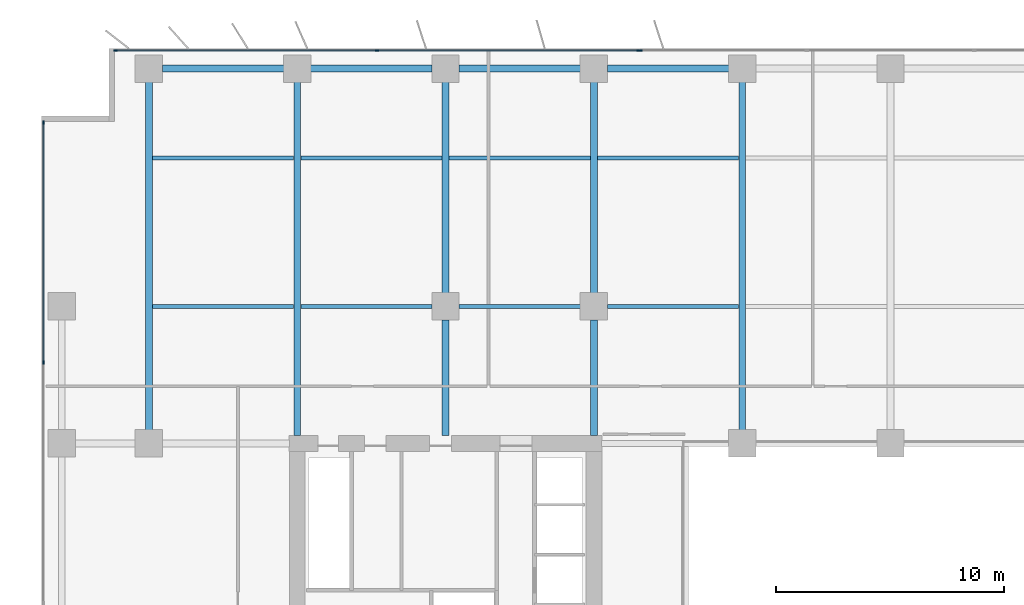
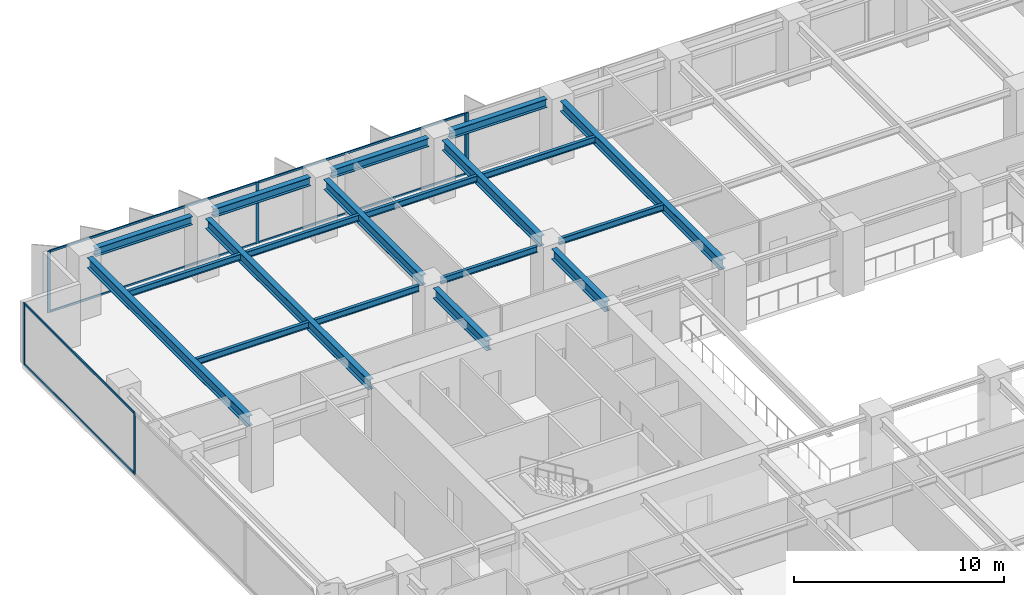
# One storey, part 7 of 20: 19 beams, 12 members, 3 elements without a shape of their own.
"""IFC4 building model written with IfcOpenShell, lengths in metres."""

import ifcopenshell
import ifcopenshell.guid

model = None  # the IFC model being written
_history = None  # IfcOwnerHistory: only IFC2X3 demands one
_inside = {}  # id of a spatial element -> (the spatial element, [elements in it])
_under = {}  # id of a project, library or spatial element -> (it, [spatial elements below it])
_declared = {}  # id of a project -> (the project, [libraries it declares])
_typed = {}  # id of a type object -> (the type object, [elements of that type])
_made_of = {}  # id of a material, layer set ... -> (it, [elements and type objects made of it])


def new_model(schema):
    """Start an empty IFC model of exactly this schema.

    Asked for "IFC4X3", IfcOpenShell would pick the latest addendum, in which some entities
    have other attributes; the version numbers below select the first issue.
    IFC2X3 requires an IfcOwnerHistory on every rooted entity: one is made here for all.
    """
    global model, _history
    if schema == "IFC4X3":
        model = ifcopenshell.file(schema_version=(4, 3, 0, 0))
    else:
        model = ifcopenshell.file(schema=schema)
    _inside.clear()
    _under.clear()
    _declared.clear()
    _typed.clear()
    _made_of.clear()
    _history = None
    if model.schema == "IFC2X3":
        org = make("IfcOrganization", Name="unknown")
        user = make(
            "IfcPersonAndOrganization",
            ThePerson=make("IfcPerson", FamilyName="unknown"),
            TheOrganization=org,
        )
        app = make(
            "IfcApplication",
            ApplicationDeveloper=org,
            Version="unknown",
            ApplicationFullName="unknown",
            ApplicationIdentifier="unknown",
        )
        _history = make(
            "IfcOwnerHistory",
            OwningUser=user,
            OwningApplication=app,
            ChangeAction="ADDED",
            CreationDate=0,
        )
    return model


def make(cls, **values):
    """One entity of the class cls with the attributes given. An attribute that is None is left unset."""
    return model.create_entity(
        cls, **{name: value for name, value in values.items() if value is not None}
    )


def rooted(cls, **values):
    """An entity with a GlobalId (a new one), such as an element, a storey or a relation."""
    return make(cls, GlobalId=ifcopenshell.guid.new(), OwnerHistory=_history, **values)


def si_unit(unit_type, name, prefix=None):
    """IfcSIUnit, for example si_unit("LENGTHUNIT", "METRE", prefix="MILLI")."""
    return make("IfcSIUnit", UnitType=unit_type, Prefix=prefix, Name=name)


def assignment(units):
    """IfcUnitAssignment: the units of a project."""
    return None if units is None else make("IfcUnitAssignment", Units=units)


def point(xyz):
    """IfcCartesianPoint."""
    return None if xyz is None else make("IfcCartesianPoint", Coordinates=xyz)


def direction(xyz):
    """IfcDirection."""
    return None if xyz is None else make("IfcDirection", DirectionRatios=xyz)


def frame(location, z_axis=None, x_axis=None):
    """IfcAxis2Placement3D, a coordinate frame: its origin and axes. An axis left out is left unset."""
    return make(
        "IfcAxis2Placement3D",
        Location=point(location),
        Axis=direction(z_axis),
        RefDirection=direction(x_axis),
    )


def frame_2d(location, x_axis=None):
    """IfcAxis2Placement2D, a coordinate frame in the plane: its origin and x axis."""
    return make(
        "IfcAxis2Placement2D", Location=point(location), RefDirection=direction(x_axis)
    )


def origin():
    """The frame at (0, 0, 0) with its axes left unset."""
    return frame((0.0, 0.0, 0.0))


def origin_2d():
    """The frame at (0, 0) in the plane with its x axis left unset."""
    return frame_2d((0.0, 0.0))


def place(relative_to, where):
    """IfcLocalPlacement: puts the frame where relative to a parent placement (None: the world)."""
    return make(
        "IfcLocalPlacement", PlacementRelTo=relative_to, RelativePlacement=where
    )


def context(
    kind, dimensions, precision=None, world=None, true_north=None, identifier=None
):
    """IfcGeometricRepresentationContext, for example the 3D "Model" context."""
    return make(
        "IfcGeometricRepresentationContext",
        ContextIdentifier=identifier,
        ContextType=kind,
        CoordinateSpaceDimension=dimensions,
        Precision=precision,
        WorldCoordinateSystem=world,
        TrueNorth=true_north,
    )


def subcontext(parent, identifier, kind, view, scale=None):
    """IfcGeometricRepresentationSubContext, for example "Body" below "Model"."""
    return make(
        "IfcGeometricRepresentationSubContext",
        ContextIdentifier=identifier,
        ContextType=kind,
        ParentContext=parent,
        TargetScale=scale,
        TargetView=view,
    )


def project(units=None, contexts=None):
    """IfcProject with its units and contexts."""
    return rooted(
        "IfcProject",
        Name="project",
        RepresentationContexts=contexts,
        UnitsInContext=assignment(units),
    )


def spatial(cls, under=None, at=None, **own):
    """A site, building, storey or space (cls), placed at a placement, below another one or the project."""
    s = rooted(cls, ObjectPlacement=at, **own)
    if under is not None:
        _under.setdefault(under.id(), (under, []))[1].append(s)
    return s


def profile(cls, at=None, kind="AREA", **sizes):
    """A parametric profile (cls). Its sizes go by their IFC names, for example OverallWidth=200.0."""
    return make(cls, ProfileType=kind, Position=at, **sizes)


def rectangle(**sizes):
    """IfcRectangleProfileDef."""
    return profile("IfcRectangleProfileDef", **sizes)


def i_section(**sizes):
    """IfcIShapeProfileDef."""
    return profile("IfcIShapeProfileDef", **sizes)


def extrude(swept, where, along, depth):
    """IfcExtrudedAreaSolid: the profile swept, set in the frame where, extruded along a direction by depth."""
    return make(
        "IfcExtrudedAreaSolid",
        SweptArea=swept,
        Position=where,
        ExtrudedDirection=direction(along),
        Depth=depth,
    )


def shape(context_of_items, identifier, shape_type, items):
    """IfcShapeRepresentation: the items that make up one representation, for example the "Body"."""
    return make(
        "IfcShapeRepresentation",
        ContextOfItems=context_of_items,
        RepresentationIdentifier=identifier,
        RepresentationType=shape_type,
        Items=items,
    )


def material(Name=None, Category=None):
    """IfcMaterial."""
    return make("IfcMaterial", Name=Name, Category=Category)


def layer(
    of_material, thickness, ventilated=None, Name=None, Category=None, Priority=None
):
    """IfcMaterialLayer: one layer of a wall or slab, of a material (None: an air gap)."""
    return make(
        "IfcMaterialLayer",
        Material=of_material,
        LayerThickness=thickness,
        IsVentilated=ventilated,
        Name=Name,
        Category=Category,
        Priority=Priority,
    )


def layer_set(layers, Name=None):
    """IfcMaterialLayerSet."""
    return make("IfcMaterialLayerSet", MaterialLayers=layers, LayerSetName=Name)


def material_profile(
    of_material, cross_section, Name=None, Category=None, Priority=None
):
    """IfcMaterialProfile: a cross section and its material."""
    return make(
        "IfcMaterialProfile",
        Name=Name,
        Material=of_material,
        Profile=cross_section,
        Priority=Priority,
        Category=Category,
    )


def profile_set(profiles, Name=None, composite=None):
    """IfcMaterialProfileSet."""
    return make(
        "IfcMaterialProfileSet",
        Name=Name,
        MaterialProfiles=profiles,
        CompositeProfile=composite,
    )


def made_of(thing, what):
    """Note that an element or type object is made of a material, layer set ...; save() writes the relation."""
    if what is not None:
        _made_of.setdefault(what.id(), (what, []))[1].append(thing)
    return thing


def type_object(cls, material=None, **own):
    """A type object (cls), such as IfcWallType, which elements share."""
    return made_of(rooted(cls, **own), material)


def element(
    cls,
    number,
    at=None,
    inside=None,
    cuts=None,
    type_object=None,
    material=None,
    context=None,
    identifier="Body",
    shape_type=None,
    held_by="IfcProductDefinitionShape",
    body=None,
    shapes=None,
    **own,
):
    """One element of the class cls, such as IfcWall. Its Tag is "e" and its number.

    at: its placement. inside: the storey or other place that contains it. cuts: it is an
    opening in that element (IfcRelVoidsElement). A single representation is given by context,
    identifier, shape_type and body (its items); several are given by shapes. held_by: the class
    of the entity that holds the representations. save() writes the other relations.
    """
    e = rooted(cls, Tag="e%d" % number, ObjectPlacement=at, **own)
    if body is not None:
        shapes = [shape(context, identifier, shape_type, body)]
    if shapes is not None:
        e.Representation = make(held_by, Representations=shapes)
    if inside is not None:
        _inside.setdefault(inside.id(), (inside, []))[1].append(e)
    if cuts is not None:
        rooted(
            "IfcRelVoidsElement", RelatingBuildingElement=cuts, RelatedOpeningElement=e
        )
    if type_object is not None:
        _typed.setdefault(type_object.id(), (type_object, []))[1].append(e)
    return made_of(e, material)


def aggregate(whole, parts):
    """IfcRelAggregates: a whole, such as a stair, and the parts it consists of."""
    return rooted("IfcRelAggregates", RelatingObject=whole, RelatedObjects=parts)


def save(model, path):
    """Write the relations noted so far, then the file.

    IfcRelAggregates (storeys below a building ...), IfcRelContainedInSpatialStructure (elements
    in a storey), IfcRelDefinesByType, IfcRelAssociatesMaterial and IfcRelDeclares: one each for
    every whole, place, type object, material and project.
    """
    for whole, parts in _under.values():
        aggregate(whole, parts)
    for where, things in _inside.values():
        rooted(
            "IfcRelContainedInSpatialStructure",
            RelatedElements=things,
            RelatingStructure=where,
        )
    for kind, things in _typed.values():
        rooted("IfcRelDefinesByType", RelatedObjects=things, RelatingType=kind)
    for what, things in _made_of.values():
        rooted("IfcRelAssociatesMaterial", RelatedObjects=things, RelatingMaterial=what)
    for by, libraries in _declared.values():
        rooted("IfcRelDeclares", RelatingContext=by, RelatedDefinitions=libraries)
    model.write(path)


model = new_model("IFC4")

# Units and contexts
model_context = context("Model", 3, precision=1e-05, world=origin(), true_north=direction((0.0, 1.0)))
body_context = subcontext(model_context, "Body", "Model", "MODEL_VIEW")
ifc_project = project(units=[si_unit("LENGTHUNIT", "METRE"), si_unit("AREAUNIT", "SQUARE_METRE"), si_unit("VOLUMEUNIT", "CUBIC_METRE"), si_unit("PLANEANGLEUNIT", "RADIAN"), si_unit("MASSUNIT", "GRAM", prefix="KILO")], contexts=[model_context])

# Site, building, storey
site_placement = place(None, origin())
site = spatial("IfcSite", under=ifc_project, at=site_placement, CompositionType="ELEMENT")
building_placement = place(site_placement, origin())
building = spatial("IfcBuilding", under=site, at=building_placement, Name="Putna Gate Headquarters", CompositionType="ELEMENT")
storey_placement = place(building_placement, frame((0.0, 0.0, 97.39990234375)))
storey = spatial("IfcBuildingStorey", under=building, at=storey_placement, Name="L23", CompositionType="ELEMENT", Elevation=97.39990234375)

# Beams
ifc_material_1 = material(Name="Steel S355J2", Category="steel")
ifc_material_profile_1 = material_profile(ifc_material_1, i_section(OverallWidth=0.300048828125, OverallDepth=0.60009765625, WebThickness=0.015380859375, FlangeThickness=0.030029296875, at=origin_2d()), Name="Steel S355J2")
ifc_profile_set_1 = profile_set([ifc_material_profile_1], Name="Steel S355J2")
beam_type_1 = type_object("IfcBeamType", Name="BM-GIRD-Z2-HEB600", PredefinedType="USERDEFINED", material=ifc_profile_set_1)
beam_1_placement = place(storey_placement, frame((6.5, 33.587890625, 3.26513671875), z_axis=(0.0, 1.0, 0.0), x_axis=(-1.0, 0.0, 0.0)))
element("IfcBeam", 1, at=beam_1_placement, inside=storey, type_object=beam_type_1, Name="L23 North Primary Girder X6", ObjectType="GIRDER", PredefinedType="USERDEFINED", context=body_context, shape_type="SweptSolid", body=[
    extrude(i_section(OverallWidth=0.300048828125, OverallDepth=0.60009765625, WebThickness=0.015380859375, FlangeThickness=0.030029296875, at=origin_2d()), origin(), (0.0, 0.0, 1.0), 15.244140625),
])
beam_2_placement = place(storey_placement, frame((13.0, 33.3349609375, 3.26513671875), z_axis=(0.0, 1.0, 0.0), x_axis=(-1.0, 0.0, 0.0)))
element("IfcBeam", 2, at=beam_2_placement, inside=storey, type_object=beam_type_1, Name="L23 North Primary Girder X13", ObjectType="GIRDER", PredefinedType="USERDEFINED", context=body_context, shape_type="SweptSolid", body=[
    extrude(i_section(OverallWidth=0.300048828125, OverallDepth=0.60009765625, WebThickness=0.015380859375, FlangeThickness=0.030029296875, at=origin_2d()), origin(), (0.0, 0.0, 1.0), 15.4970703125),
])
beam_3_placement = place(storey_placement, frame((19.5, 33.3349609375, 3.26513671875), z_axis=(0.0, 1.0, 0.0), x_axis=(-1.0, 0.0, 0.0)))
element("IfcBeam", 3, at=beam_3_placement, inside=storey, type_object=beam_type_1, Name="L23 North Primary Girder X19-1", ObjectType="GIRDER", PredefinedType="USERDEFINED", context=body_context, shape_type="SweptSolid", body=[
    extrude(i_section(OverallWidth=0.300048828125, OverallDepth=0.60009765625, WebThickness=0.015380859375, FlangeThickness=0.030029296875, at=origin_2d()), origin(), (0.0, 0.0, 1.0), 5.0771484375),
])
beam_4_placement = place(storey_placement, frame((19.5, 39.587890625, 3.26513671875), z_axis=(0.0, 1.0, 0.0), x_axis=(-1.0, 0.0, 0.0)))
element("IfcBeam", 4, at=beam_4_placement, inside=storey, type_object=beam_type_1, Name="L23 North Primary Girder X19-2", ObjectType="GIRDER", PredefinedType="USERDEFINED", context=body_context, shape_type="SweptSolid", body=[
    extrude(i_section(OverallWidth=0.300048828125, OverallDepth=0.60009765625, WebThickness=0.015380859375, FlangeThickness=0.030029296875, at=origin_2d()), origin(), (0.0, 0.0, 1.0), 9.244140625),
])
beam_5_placement = place(storey_placement, frame((26.0, 33.3349609375, 3.26513671875), z_axis=(0.0, 1.0, 0.0), x_axis=(-1.0, 0.0, 0.0)))
element("IfcBeam", 5, at=beam_5_placement, inside=storey, type_object=beam_type_1, Name="L23 North Primary Girder X26-1", ObjectType="GIRDER", PredefinedType="USERDEFINED", context=body_context, shape_type="SweptSolid", body=[
    extrude(i_section(OverallWidth=0.300048828125, OverallDepth=0.60009765625, WebThickness=0.015380859375, FlangeThickness=0.030029296875, at=origin_2d()), origin(), (0.0, 0.0, 1.0), 5.0771484375),
])
beam_6_placement = place(storey_placement, frame((26.0, 39.587890625, 3.26513671875), z_axis=(0.0, 1.0, 0.0), x_axis=(-1.0, 0.0, 0.0)))
element("IfcBeam", 6, at=beam_6_placement, inside=storey, type_object=beam_type_1, Name="L23 North Primary Girder X26-2", ObjectType="GIRDER", PredefinedType="USERDEFINED", context=body_context, shape_type="SweptSolid", body=[
    extrude(i_section(OverallWidth=0.300048828125, OverallDepth=0.60009765625, WebThickness=0.015380859375, FlangeThickness=0.030029296875, at=origin_2d()), origin(), (0.0, 0.0, 1.0), 9.244140625),
])
beam_7_placement = place(storey_placement, frame((32.5, 33.587890625, 3.26513671875), z_axis=(0.0, 1.0, 0.0), x_axis=(-1.0, 0.0, 0.0)))
element("IfcBeam", 7, at=beam_7_placement, inside=storey, type_object=beam_type_1, Name="L23 North Primary Girder X32", ObjectType="GIRDER", PredefinedType="USERDEFINED", context=body_context, shape_type="SweptSolid", body=[
    extrude(i_section(OverallWidth=0.300048828125, OverallDepth=0.60009765625, WebThickness=0.015380859375, FlangeThickness=0.030029296875, at=origin_2d()), origin(), (0.0, 0.0, 1.0), 15.244140625),
])
ifc_material_profile_2 = material_profile(ifc_material_1, i_section(OverallWidth=0.169921875, OverallDepth=0.360107421875, WebThickness=0.008056640625, FlangeThickness=0.0126953125, at=origin_2d()), Name="Steel S355J2")
ifc_profile_set_2 = profile_set([ifc_material_profile_2], Name="Steel S355J2")
beam_type_2 = type_object("IfcBeamType", Name="BM-SEC-Z2-IPE360", PredefinedType="BEAM", material=ifc_profile_set_2)
for number, where, z_axis, x_axis, name in (
    (8, (6.654052734375, 39.0, 3.385009765625), (1.0, 0.0, 0.0), (0.0, 1.0, 0.0), "L23 North Secondary Beam 1"),
    (9, (6.654052734375, 45.5, 3.385009765625), (1.0, 0.0, 0.0), (0.0, 1.0, 0.0), "L23 North Secondary Beam 1"),
):
    element("IfcBeam", number, at=place(storey_placement, frame(where, z_axis=z_axis, x_axis=x_axis)), inside=storey, type_object=beam_type_2, Name=name, PredefinedType="BEAM", context=body_context, shape_type="SweptSolid", body=[
        extrude(i_section(OverallWidth=0.169921875, OverallDepth=0.360107421875, WebThickness=0.008056640625, FlangeThickness=0.0126953125, at=origin_2d()), origin(), (0.0, 0.0, 1.0), 6.19189453125),
    ])
beam_8_placement = place(storey_placement, frame((13.154052734375, 39.0, 3.385009765625), z_axis=(1.0, 0.0, 0.0), x_axis=(0.0, 1.0, 0.0)))
element("IfcBeam", 10, at=beam_8_placement, inside=storey, type_object=beam_type_2, Name="L23 North Secondary Beam 2", PredefinedType="BEAM", context=body_context, shape_type="SweptSolid", body=[
    extrude(i_section(OverallWidth=0.169921875, OverallDepth=0.360107421875, WebThickness=0.008056640625, FlangeThickness=0.0126953125, at=origin_2d()), origin(), (0.0, 0.0, 1.0), 5.758056640625),
])
beam_9_placement = place(storey_placement, frame((13.154052734375, 45.5, 3.385009765625), z_axis=(1.0, 0.0, 0.0), x_axis=(0.0, 1.0, 0.0)))
element("IfcBeam", 11, at=beam_9_placement, inside=storey, type_object=beam_type_2, Name="L23 North Secondary Beam 2", PredefinedType="BEAM", context=body_context, shape_type="SweptSolid", body=[
    extrude(i_section(OverallWidth=0.169921875, OverallDepth=0.360107421875, WebThickness=0.008056640625, FlangeThickness=0.0126953125, at=origin_2d()), origin(), (0.0, 0.0, 1.0), 6.19189453125),
])
beam_10_placement = place(storey_placement, frame((20.087890625, 39.0, 3.385009765625), z_axis=(1.0, 0.0, 0.0), x_axis=(0.0, 1.0, 0.0)))
element("IfcBeam", 12, at=beam_10_placement, inside=storey, type_object=beam_type_2, Name="L23 North Secondary Beam 3", PredefinedType="BEAM", context=body_context, shape_type="SweptSolid", body=[
    extrude(i_section(OverallWidth=0.169921875, OverallDepth=0.360107421875, WebThickness=0.008056640625, FlangeThickness=0.0126953125, at=origin_2d()), origin(), (0.0, 0.0, 1.0), 5.32421875),
])
beam_11_placement = place(storey_placement, frame((19.654052734375, 45.5, 3.385009765625), z_axis=(1.0, 0.0, 0.0), x_axis=(0.0, 1.0, 0.0)))
element("IfcBeam", 13, at=beam_11_placement, inside=storey, type_object=beam_type_2, Name="L23 North Secondary Beam 3", PredefinedType="BEAM", context=body_context, shape_type="SweptSolid", body=[
    extrude(i_section(OverallWidth=0.169921875, OverallDepth=0.360107421875, WebThickness=0.008056640625, FlangeThickness=0.0126953125, at=origin_2d()), origin(), (0.0, 0.0, 1.0), 6.19189453125),
])
beam_12_placement = place(storey_placement, frame((26.587890625, 39.0, 3.385009765625), z_axis=(1.0, 0.0, 0.0), x_axis=(0.0, 1.0, 0.0)))
element("IfcBeam", 14, at=beam_12_placement, inside=storey, type_object=beam_type_2, Name="L23 North Secondary Beam 4", PredefinedType="BEAM", context=body_context, shape_type="SweptSolid", body=[
    extrude(i_section(OverallWidth=0.169921875, OverallDepth=0.360107421875, WebThickness=0.008056640625, FlangeThickness=0.0126953125, at=origin_2d()), origin(), (0.0, 0.0, 1.0), 5.758056640625),
])
beam_13_placement = place(storey_placement, frame((26.154052734375, 45.5, 3.385009765625), z_axis=(1.0, 0.0, 0.0), x_axis=(0.0, 1.0, 0.0)))
element("IfcBeam", 15, at=beam_13_placement, inside=storey, type_object=beam_type_2, Name="L23 North Secondary Beam 4", PredefinedType="BEAM", context=body_context, shape_type="SweptSolid", body=[
    extrude(i_section(OverallWidth=0.169921875, OverallDepth=0.360107421875, WebThickness=0.008056640625, FlangeThickness=0.0126953125, at=origin_2d()), origin(), (0.0, 0.0, 1.0), 6.19189453125),
])
ifc_material_profile_3 = material_profile(ifc_material_1, i_section(OverallWidth=0.300048828125, OverallDepth=0.489990234375, WebThickness=0.011962890625, FlangeThickness=0.02294921875, at=origin_2d()), Name="Steel S355J2")
ifc_profile_set_3 = profile_set([ifc_material_profile_3], Name="Steel S355J2")
beam_type_3 = type_object("IfcBeamType", Name="BM-SPAN-Z2-HEA500", PredefinedType="SPANDREL", material=ifc_profile_set_3)
for number, where, z_axis, x_axis, name in (
    (16, (7.087890625, 49.419921875, 3.320068359375), (1.0, 0.0, 0.0), (0.0, 1.0, 0.0), "L23 N Perimeter Spandrel 1"),
    (17, (13.587890625, 49.419921875, 3.320068359375), (1.0, 0.0, 0.0), (0.0, 1.0, 0.0), "L23 N Perimeter Spandrel 2"),
    (18, (20.087890625, 49.419921875, 3.320068359375), (1.0, 0.0, 0.0), (0.0, 1.0, 0.0), "L23 N Perimeter Spandrel 3"),
    (19, (26.587890625, 49.419921875, 3.320068359375), (1.0, 0.0, 0.0), (0.0, 1.0, 0.0), "L23 N Perimeter Spandrel 4"),
):
    element("IfcBeam", number, at=place(storey_placement, frame(where, z_axis=z_axis, x_axis=x_axis)), inside=storey, type_object=beam_type_3, Name=name, PredefinedType="SPANDREL", context=body_context, shape_type="SweptSolid", body=[
        extrude(i_section(OverallWidth=0.300048828125, OverallDepth=0.489990234375, WebThickness=0.011962890625, FlangeThickness=0.02294921875, at=origin_2d()), origin(), (0.0, 0.0, 1.0), 5.32421875),
    ])

# Curtain wall, members
ifc_material_2 = material(Name="Anodised bronze aluminium curtain wall", Category="aluminium")
ifc_layer_1 = layer(ifc_material_2, 0.159912109375)
ifc_layer_set_1 = layer_set([ifc_layer_1], Name="Anodised bronze aluminium curtain wall")
curtain_wall_type_1 = type_object("IfcCurtainWallType", Name="CW-SYS-Z2", PredefinedType="USERDEFINED", material=ifc_layer_set_1)
curtain_wall_1_placement = place(storey_placement, origin())
curtain_wall_1 = element("IfcCurtainWall", 20, at=curtain_wall_1_placement, inside=storey, type_object=curtain_wall_type_1, Name="L23 North West Curtain Wall", ObjectType="STICK CURTAIN WALL", PredefinedType="USERDEFINED")
ifc_material_3 = material(Name="Anodised bronze aluminium EN AW-6060", Category="aluminium")
ifc_material_profile_4 = material_profile(ifc_material_3, rectangle(XDim=0.06494140625, YDim=0.159912109375, at=origin_2d()), Name="Anodised bronze aluminium EN AW-6060")
ifc_profile_set_4 = profile_set([ifc_material_profile_4], Name="Anodised bronze aluminium EN AW-6060")
member_type_1 = type_object("IfcMemberType", Name="MULL-CWM-2", PredefinedType="MULLION", material=ifc_profile_set_4)
member_1_placement = place(storey_placement, frame((5.032470703125, 50.219970703125, 0.0), z_axis=(0.0, 0.0, 1.0), x_axis=(0.0, 1.0, 0.0)))
member_1 = element("IfcMember", 21, at=member_1_placement, type_object=member_type_1, Name="CWS-2 mullion 1", PredefinedType="MULLION", context=body_context, shape_type="SweptSolid", body=[
    extrude(rectangle(XDim=0.06494140625, YDim=0.159912109375, at=origin_2d()), origin(), (0.0, 0.0, 1.0), 3.565185546875),
])
member_2_placement = place(storey_placement, frame((16.5, 50.219970703125, 0.0), z_axis=(0.0, 0.0, 1.0), x_axis=(0.0, 1.0, 0.0)))
member_2 = element("IfcMember", 22, at=member_2_placement, type_object=member_type_1, Name="CWS-2 mullion 2", PredefinedType="MULLION", context=body_context, shape_type="SweptSolid", body=[
    extrude(rectangle(XDim=0.06494140625, YDim=0.159912109375, at=origin_2d()), origin(), (0.0, 0.0, 1.0), 3.565185546875),
])
member_3_placement = place(storey_placement, frame((27.967529296875, 50.219970703125, 0.0), z_axis=(0.0, 0.0, 1.0), x_axis=(0.0, 1.0, 0.0)))
member_3 = element("IfcMember", 23, at=member_3_placement, type_object=member_type_1, Name="CWS-2 mullion 3", PredefinedType="MULLION", context=body_context, shape_type="SweptSolid", body=[
    extrude(rectangle(XDim=0.06494140625, YDim=0.159912109375, at=origin_2d()), origin(), (0.0, 0.0, 1.0), 3.565185546875),
])

curtain_wall_2_placement = place(storey_placement, origin())
curtain_wall_2 = element("IfcCurtainWall", 24, at=curtain_wall_2_placement, inside=storey, type_object=curtain_wall_type_1, Name="L23 West Curtain Wall", ObjectType="STICK CURTAIN WALL", PredefinedType="USERDEFINED")
member_4_placement = place(storey_placement, frame((1.8798828125, 36.550048828125, 0.0), z_axis=(0.0, 0.0, 1.0), x_axis=(-1.0, 0.0, 0.0)))
member_4 = element("IfcMember", 25, at=member_4_placement, type_object=member_type_1, Name="CWS-2 mullion 4", PredefinedType="MULLION", context=body_context, shape_type="SweptSolid", body=[
    extrude(rectangle(XDim=0.06494140625, YDim=0.159912109375, at=origin_2d()), origin(), (0.0, 0.0, 1.0), 3.565185546875),
])
member_5_placement = place(storey_placement, frame((1.8798828125, 47.0673828125, 0.0), z_axis=(0.0, 0.0, 1.0), x_axis=(-1.0, 0.0, 0.0)))
member_5 = element("IfcMember", 26, at=member_5_placement, type_object=member_type_1, Name="CWS-2 mullion 5", PredefinedType="MULLION", context=body_context, shape_type="SweptSolid", body=[
    extrude(rectangle(XDim=0.06494140625, YDim=0.159912109375, at=origin_2d()), origin(), (0.0, 0.0, 1.0), 3.565185546875),
])

# Curtain wall, member
ifc_layer_2 = layer(ifc_material_2, 0.179931640625)
ifc_layer_set_2 = layer_set([ifc_layer_2], Name="Anodised bronze aluminium curtain wall")
curtain_wall_type_2 = type_object("IfcCurtainWallType", Name="CW-SYS-ATR", PredefinedType="USERDEFINED", material=ifc_layer_set_2)
curtain_wall_3_placement = place(storey_placement, origin())
curtain_wall_3 = element("IfcCurtainWall", 27, at=curtain_wall_3_placement, inside=storey, type_object=curtain_wall_type_2, Name="L23 North Atrium Clear Glazing", ObjectType="ATRIUM GLAZING", PredefinedType="USERDEFINED")
ifc_material_profile_5 = material_profile(ifc_material_3, rectangle(XDim=0.070068359375, YDim=0.179931640625, at=origin_2d()), Name="Anodised bronze aluminium EN AW-6060")
ifc_profile_set_5 = profile_set([ifc_material_profile_5], Name="Anodised bronze aluminium EN AW-6060")
member_type_2 = type_object("IfcMemberType", Name="MULL-CWM-AT", PredefinedType="MULLION", material=ifc_profile_set_5)
member_6_placement = place(storey_placement, frame((28.034912109375, 50.219970703125, 0.0), z_axis=(0.0, 0.0, 1.0), x_axis=(0.0, 1.0, 0.0)))
member_6 = element("IfcMember", 28, at=member_6_placement, type_object=member_type_2, Name="CWS-AT mullion 1", PredefinedType="MULLION", context=body_context, shape_type="SweptSolid", body=[
    extrude(rectangle(XDim=0.070068359375, YDim=0.179931640625, at=origin_2d()), origin(), (0.0, 0.0, 1.0), 3.565185546875),
])
aggregate(curtain_wall_3, [member_6])

# Member
ifc_material_profile_6 = material_profile(ifc_material_3, rectangle(XDim=0.06494140625, YDim=0.1201171875, at=origin_2d()), Name="Anodised bronze aluminium EN AW-6060")
ifc_profile_set_6 = profile_set([ifc_material_profile_6], Name="Anodised bronze aluminium EN AW-6060")
member_type_3 = type_object("IfcMemberType", Name="TRAN-CWT-2", PredefinedType="USERDEFINED", material=ifc_profile_set_6)
member_7_placement = place(storey_placement, frame((5.06494140625, 50.219970703125, 0.03271484375), z_axis=(1.0, 0.0, 0.0), x_axis=(0.0, 1.0, 0.0)))
member_7 = element("IfcMember", 29, at=member_7_placement, type_object=member_type_3, Name="CWS-2 transom 1.1", ObjectType="TRANSOM", PredefinedType="USERDEFINED", context=body_context, shape_type="SweptSolid", body=[
    extrude(rectangle(XDim=0.06494140625, YDim=0.1201171875, at=origin_2d()), origin(), (0.0, 0.0, 1.0), 11.402587890625),
])

member_8_placement = place(storey_placement, frame((5.06494140625, 50.219970703125, 3.53271484375), z_axis=(1.0, 0.0, 0.0), x_axis=(0.0, 1.0, 0.0)))
member_8 = element("IfcMember", 30, at=member_8_placement, type_object=member_type_3, Name="CWS-2 transom 1.2", ObjectType="TRANSOM", PredefinedType="USERDEFINED", context=body_context, shape_type="SweptSolid", body=[
    extrude(rectangle(XDim=0.06494140625, YDim=0.1201171875, at=origin_2d()), origin(), (0.0, 0.0, 1.0), 11.402587890625),
])

member_9_placement = place(storey_placement, frame((16.532470703125, 50.219970703125, 0.03271484375), z_axis=(1.0, 0.0, 0.0), x_axis=(0.0, 1.0, 0.0)))
member_9 = element("IfcMember", 31, at=member_9_placement, type_object=member_type_3, Name="CWS-2 transom 2.1", ObjectType="TRANSOM", PredefinedType="USERDEFINED", context=body_context, shape_type="SweptSolid", body=[
    extrude(rectangle(XDim=0.06494140625, YDim=0.1201171875, at=origin_2d()), origin(), (0.0, 0.0, 1.0), 11.402587890625),
])

member_10_placement = place(storey_placement, frame((16.532470703125, 50.219970703125, 3.53271484375), z_axis=(1.0, 0.0, 0.0), x_axis=(0.0, 1.0, 0.0)))
member_10 = element("IfcMember", 32, at=member_10_placement, type_object=member_type_3, Name="CWS-2 transom 2.2", ObjectType="TRANSOM", PredefinedType="USERDEFINED", context=body_context, shape_type="SweptSolid", body=[
    extrude(rectangle(XDim=0.06494140625, YDim=0.1201171875, at=origin_2d()), origin(), (0.0, 0.0, 1.0), 11.402587890625),
])

aggregate(curtain_wall_1, [member_1, member_2, member_3, member_7, member_8, member_9, member_10])

member_11_placement = place(storey_placement, frame((1.8798828125, 36.58251953125, 0.03271484375), z_axis=(0.0, 1.0, 0.0), x_axis=(-1.0, 0.0, 0.0)))
member_11 = element("IfcMember", 33, at=member_11_placement, type_object=member_type_3, Name="CWS-2 transom 4.1", ObjectType="TRANSOM", PredefinedType="USERDEFINED", context=body_context, shape_type="SweptSolid", body=[
    extrude(rectangle(XDim=0.06494140625, YDim=0.1201171875, at=origin_2d()), origin(), (0.0, 0.0, 1.0), 10.452392578125),
])

member_12_placement = place(storey_placement, frame((1.8798828125, 36.58251953125, 3.53271484375), z_axis=(0.0, 1.0, 0.0), x_axis=(-1.0, 0.0, 0.0)))
member_12 = element("IfcMember", 34, at=member_12_placement, type_object=member_type_3, Name="CWS-2 transom 4.2", ObjectType="TRANSOM", PredefinedType="USERDEFINED", context=body_context, shape_type="SweptSolid", body=[
    extrude(rectangle(XDim=0.06494140625, YDim=0.1201171875, at=origin_2d()), origin(), (0.0, 0.0, 1.0), 10.452392578125),
])

aggregate(curtain_wall_2, [member_4, member_5, member_11, member_12])

save(model, "model.ifc")
